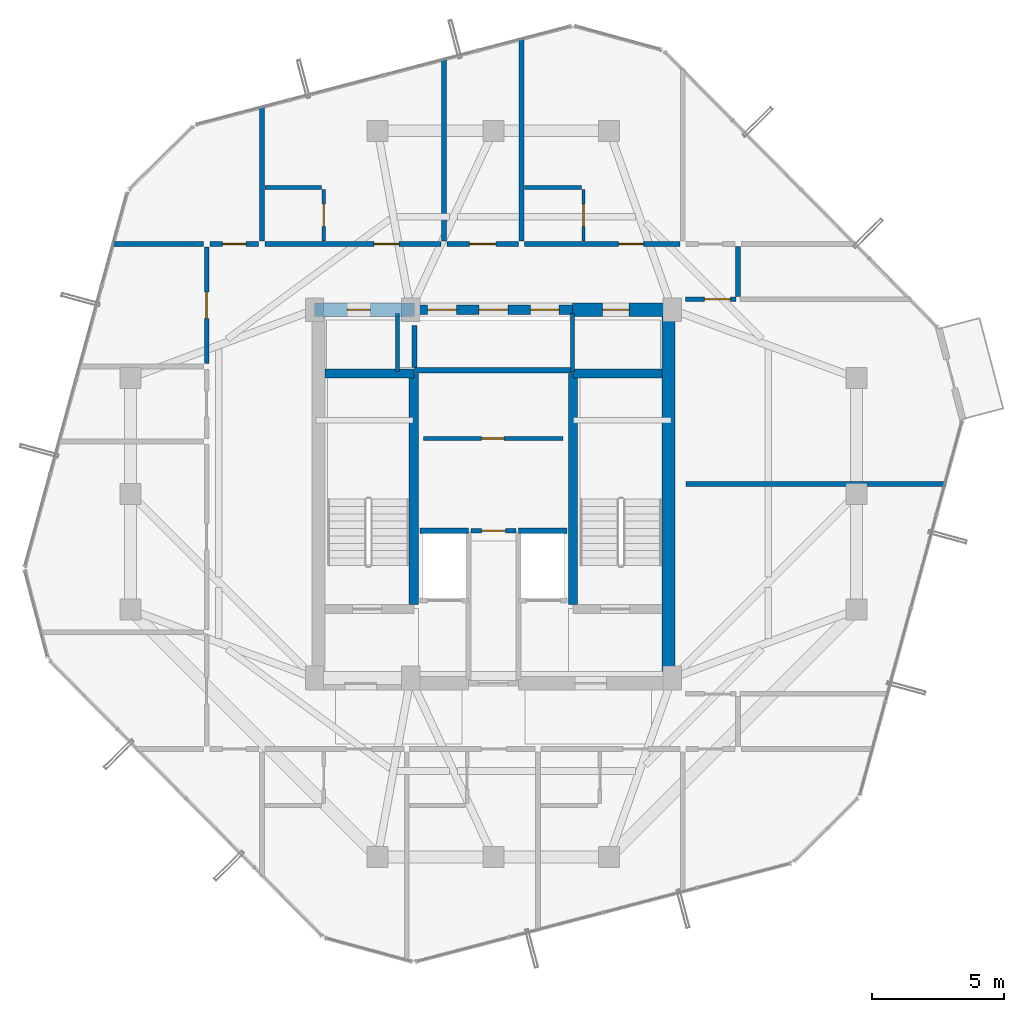
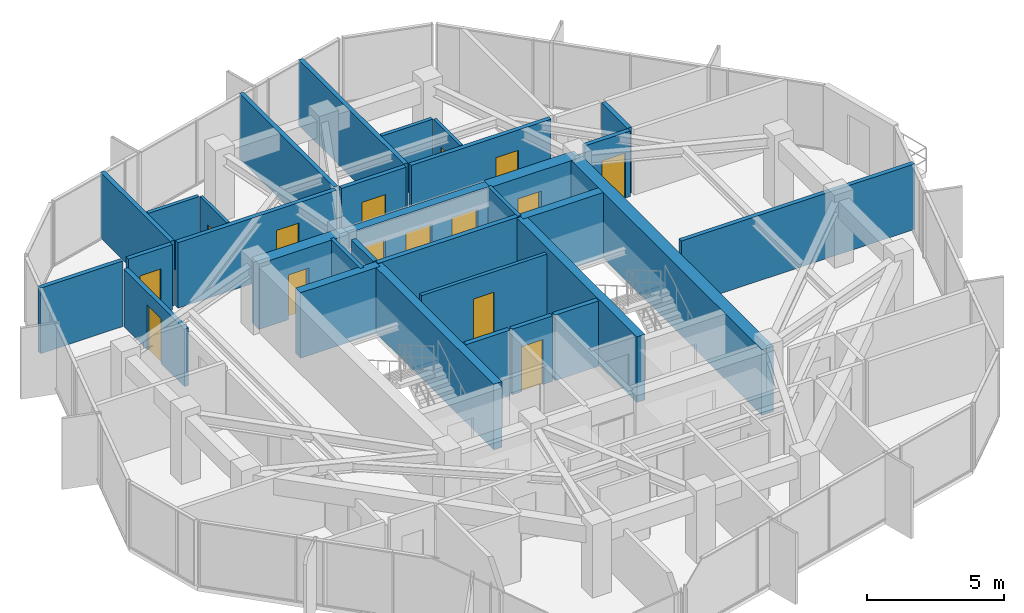
# One storey, part 26 of 29: 32 walls, 15 doors, 15 openings.
"""IFC4 building model written with IfcOpenShell, lengths in metres."""

import ifcopenshell
import ifcopenshell.guid

model = None  # the IFC model being written
_history = None  # IfcOwnerHistory: only IFC2X3 demands one
_inside = {}  # id of a spatial element -> (the spatial element, [elements in it])
_under = {}  # id of a project, library or spatial element -> (it, [spatial elements below it])
_declared = {}  # id of a project -> (the project, [libraries it declares])
_typed = {}  # id of a type object -> (the type object, [elements of that type])
_made_of = {}  # id of a material, layer set ... -> (it, [elements and type objects made of it])


def new_model(schema):
    """Start an empty IFC model of exactly this schema.

    Asked for "IFC4X3", IfcOpenShell would pick the latest addendum, in which some entities
    have other attributes; the version numbers below select the first issue.
    IFC2X3 requires an IfcOwnerHistory on every rooted entity: one is made here for all.
    """
    global model, _history
    if schema == "IFC4X3":
        model = ifcopenshell.file(schema_version=(4, 3, 0, 0))
    else:
        model = ifcopenshell.file(schema=schema)
    _inside.clear()
    _under.clear()
    _declared.clear()
    _typed.clear()
    _made_of.clear()
    _history = None
    if model.schema == "IFC2X3":
        org = make("IfcOrganization", Name="unknown")
        user = make(
            "IfcPersonAndOrganization",
            ThePerson=make("IfcPerson", FamilyName="unknown"),
            TheOrganization=org,
        )
        app = make(
            "IfcApplication",
            ApplicationDeveloper=org,
            Version="unknown",
            ApplicationFullName="unknown",
            ApplicationIdentifier="unknown",
        )
        _history = make(
            "IfcOwnerHistory",
            OwningUser=user,
            OwningApplication=app,
            ChangeAction="ADDED",
            CreationDate=0,
        )
    return model


def make(cls, **values):
    """One entity of the class cls with the attributes given. An attribute that is None is left unset."""
    return model.create_entity(
        cls, **{name: value for name, value in values.items() if value is not None}
    )


def rooted(cls, **values):
    """An entity with a GlobalId (a new one), such as an element, a storey or a relation."""
    return make(cls, GlobalId=ifcopenshell.guid.new(), OwnerHistory=_history, **values)


def si_unit(unit_type, name, prefix=None):
    """IfcSIUnit, for example si_unit("LENGTHUNIT", "METRE", prefix="MILLI")."""
    return make("IfcSIUnit", UnitType=unit_type, Prefix=prefix, Name=name)


def assignment(units):
    """IfcUnitAssignment: the units of a project."""
    return None if units is None else make("IfcUnitAssignment", Units=units)


def point(xyz):
    """IfcCartesianPoint."""
    return None if xyz is None else make("IfcCartesianPoint", Coordinates=xyz)


def direction(xyz):
    """IfcDirection."""
    return None if xyz is None else make("IfcDirection", DirectionRatios=xyz)


def frame(location, z_axis=None, x_axis=None):
    """IfcAxis2Placement3D, a coordinate frame: its origin and axes. An axis left out is left unset."""
    return make(
        "IfcAxis2Placement3D",
        Location=point(location),
        Axis=direction(z_axis),
        RefDirection=direction(x_axis),
    )


def frame_2d(location, x_axis=None):
    """IfcAxis2Placement2D, a coordinate frame in the plane: its origin and x axis."""
    return make(
        "IfcAxis2Placement2D", Location=point(location), RefDirection=direction(x_axis)
    )


def origin():
    """The frame at (0, 0, 0) with its axes left unset."""
    return frame((0.0, 0.0, 0.0))


def place(relative_to, where):
    """IfcLocalPlacement: puts the frame where relative to a parent placement (None: the world)."""
    return make(
        "IfcLocalPlacement", PlacementRelTo=relative_to, RelativePlacement=where
    )


def context(
    kind, dimensions, precision=None, world=None, true_north=None, identifier=None
):
    """IfcGeometricRepresentationContext, for example the 3D "Model" context."""
    return make(
        "IfcGeometricRepresentationContext",
        ContextIdentifier=identifier,
        ContextType=kind,
        CoordinateSpaceDimension=dimensions,
        Precision=precision,
        WorldCoordinateSystem=world,
        TrueNorth=true_north,
    )


def subcontext(parent, identifier, kind, view, scale=None):
    """IfcGeometricRepresentationSubContext, for example "Body" below "Model"."""
    return make(
        "IfcGeometricRepresentationSubContext",
        ContextIdentifier=identifier,
        ContextType=kind,
        ParentContext=parent,
        TargetScale=scale,
        TargetView=view,
    )


def project(units=None, contexts=None):
    """IfcProject with its units and contexts."""
    return rooted(
        "IfcProject",
        Name="project",
        RepresentationContexts=contexts,
        UnitsInContext=assignment(units),
    )


def spatial(cls, under=None, at=None, **own):
    """A site, building, storey or space (cls), placed at a placement, below another one or the project."""
    s = rooted(cls, ObjectPlacement=at, **own)
    if under is not None:
        _under.setdefault(under.id(), (under, []))[1].append(s)
    return s


def profile(cls, at=None, kind="AREA", **sizes):
    """A parametric profile (cls). Its sizes go by their IFC names, for example OverallWidth=200.0."""
    return make(cls, ProfileType=kind, Position=at, **sizes)


def rectangle(**sizes):
    """IfcRectangleProfileDef."""
    return profile("IfcRectangleProfileDef", **sizes)


def extrude(swept, where, along, depth):
    """IfcExtrudedAreaSolid: the profile swept, set in the frame where, extruded along a direction by depth."""
    return make(
        "IfcExtrudedAreaSolid",
        SweptArea=swept,
        Position=where,
        ExtrudedDirection=direction(along),
        Depth=depth,
    )


def shape(context_of_items, identifier, shape_type, items):
    """IfcShapeRepresentation: the items that make up one representation, for example the "Body"."""
    return make(
        "IfcShapeRepresentation",
        ContextOfItems=context_of_items,
        RepresentationIdentifier=identifier,
        RepresentationType=shape_type,
        Items=items,
    )


def source(mapping_origin, context_of_items, identifier, shape_type, items):
    """IfcRepresentationMap: a shape defined once, which mapped items show again and again."""
    return make(
        "IfcRepresentationMap",
        MappingOrigin=mapping_origin,
        MappedRepresentation=shape(context_of_items, identifier, shape_type, items),
    )


def transform(
    local_origin,
    x_axis=None,
    y_axis=None,
    z_axis=None,
    scale=None,
    scale2=None,
    scale3=None,
    uniform=True,
):
    """IfcCartesianTransformationOperator3D, or its non-uniform kind. x_axis, y_axis, z_axis: its Axis1, 2, 3."""
    if uniform:
        return make(
            "IfcCartesianTransformationOperator3D",
            Axis1=direction(x_axis),
            Axis2=direction(y_axis),
            LocalOrigin=point(local_origin),
            Scale=scale,
            Axis3=direction(z_axis),
        )
    return make(
        "IfcCartesianTransformationOperator3DnonUniform",
        Axis1=direction(x_axis),
        Axis2=direction(y_axis),
        LocalOrigin=point(local_origin),
        Scale=scale,
        Axis3=direction(z_axis),
        Scale2=scale2,
        Scale3=scale3,
    )


def mapped(mapping_source, mapping_target):
    """IfcMappedItem: shows the shape of a source again, moved by a transform."""
    return make(
        "IfcMappedItem", MappingSource=mapping_source, MappingTarget=mapping_target
    )


def material(Name=None, Category=None):
    """IfcMaterial."""
    return make("IfcMaterial", Name=Name, Category=Category)


def layer(
    of_material, thickness, ventilated=None, Name=None, Category=None, Priority=None
):
    """IfcMaterialLayer: one layer of a wall or slab, of a material (None: an air gap)."""
    return make(
        "IfcMaterialLayer",
        Material=of_material,
        LayerThickness=thickness,
        IsVentilated=ventilated,
        Name=Name,
        Category=Category,
        Priority=Priority,
    )


def layer_set(layers, Name=None):
    """IfcMaterialLayerSet."""
    return make("IfcMaterialLayerSet", MaterialLayers=layers, LayerSetName=Name)


def made_of(thing, what):
    """Note that an element or type object is made of a material, layer set ...; save() writes the relation."""
    if what is not None:
        _made_of.setdefault(what.id(), (what, []))[1].append(thing)
    return thing


def type_object(cls, material=None, **own):
    """A type object (cls), such as IfcWallType, which elements share."""
    return made_of(rooted(cls, **own), material)


def element(
    cls,
    number,
    at=None,
    inside=None,
    cuts=None,
    type_object=None,
    material=None,
    context=None,
    identifier="Body",
    shape_type=None,
    held_by="IfcProductDefinitionShape",
    body=None,
    shapes=None,
    **own,
):
    """One element of the class cls, such as IfcWall. Its Tag is "e" and its number.

    at: its placement. inside: the storey or other place that contains it. cuts: it is an
    opening in that element (IfcRelVoidsElement). A single representation is given by context,
    identifier, shape_type and body (its items); several are given by shapes. held_by: the class
    of the entity that holds the representations. save() writes the other relations.
    """
    e = rooted(cls, Tag="e%d" % number, ObjectPlacement=at, **own)
    if body is not None:
        shapes = [shape(context, identifier, shape_type, body)]
    if shapes is not None:
        e.Representation = make(held_by, Representations=shapes)
    if inside is not None:
        _inside.setdefault(inside.id(), (inside, []))[1].append(e)
    if cuts is not None:
        rooted(
            "IfcRelVoidsElement", RelatingBuildingElement=cuts, RelatedOpeningElement=e
        )
    if type_object is not None:
        _typed.setdefault(type_object.id(), (type_object, []))[1].append(e)
    return made_of(e, material)


def fill(opening, filler):
    """IfcRelFillsElement: the door or window that sits in an opening."""
    return rooted(
        "IfcRelFillsElement",
        RelatingOpeningElement=opening,
        RelatedBuildingElement=filler,
    )


def aggregate(whole, parts):
    """IfcRelAggregates: a whole, such as a stair, and the parts it consists of."""
    return rooted("IfcRelAggregates", RelatingObject=whole, RelatedObjects=parts)


def save(model, path):
    """Write the relations noted so far, then the file.

    IfcRelAggregates (storeys below a building ...), IfcRelContainedInSpatialStructure (elements
    in a storey), IfcRelDefinesByType, IfcRelAssociatesMaterial and IfcRelDeclares: one each for
    every whole, place, type object, material and project.
    """
    for whole, parts in _under.values():
        aggregate(whole, parts)
    for where, things in _inside.values():
        rooted(
            "IfcRelContainedInSpatialStructure",
            RelatedElements=things,
            RelatingStructure=where,
        )
    for kind, things in _typed.values():
        rooted("IfcRelDefinesByType", RelatedObjects=things, RelatingType=kind)
    for what, things in _made_of.values():
        rooted("IfcRelAssociatesMaterial", RelatedObjects=things, RelatingMaterial=what)
    for by, libraries in _declared.values():
        rooted("IfcRelDeclares", RelatingContext=by, RelatedDefinitions=libraries)
    model.write(path)


model = new_model("IFC4")

# Units and contexts
model_context = context("Model", 3, precision=1e-05, world=origin(), true_north=direction((0.0, 1.0)))
body_context = subcontext(model_context, "Body", "Model", "MODEL_VIEW")
ifc_project = project(units=[si_unit("LENGTHUNIT", "METRE"), si_unit("AREAUNIT", "SQUARE_METRE"), si_unit("VOLUMEUNIT", "CUBIC_METRE"), si_unit("PLANEANGLEUNIT", "RADIAN"), si_unit("MASSUNIT", "GRAM", prefix="KILO")], contexts=[model_context])

# Site, building, storey
site_placement = place(None, origin())
site = spatial("IfcSite", under=ifc_project, at=site_placement, CompositionType="ELEMENT")
building_placement = place(site_placement, origin())
building = spatial("IfcBuilding", under=site, at=building_placement, Name="Veraguas Prism Commons", CompositionType="ELEMENT")
storey_placement = place(building_placement, frame((0.0, 0.0, 261.0)))
storey = spatial("IfcBuildingStorey", under=building, at=storey_placement, Name="L74", CompositionType="ELEMENT", Elevation=261.0)

# Wall, openings, doors
ifc_material_1 = material(Name="Concrete C50/60", Category="concrete")
ifc_layer_1 = layer(ifc_material_1, 0.35009765625, Name="Core Internal Shear Wall Upper RC 350", Category="concrete")
ifc_layer_set_1 = layer_set([ifc_layer_1], Name="Concrete C50/60")
wall_type_1 = type_object("IfcWallType", Name="Core Internal Shear Wall Upper RC 350", PredefinedType="SHEAR", material=ifc_layer_set_1)
wall_1_placement = place(storey_placement, frame((21.0, 31.0, 0.0), z_axis=(0.0, 0.0, 1.0), x_axis=(1.0, 0.0, 0.0)))
wall_1 = element("IfcWall", 1, at=wall_1_placement, inside=storey, type_object=wall_type_1, Name="High-Rise Lift Bank Front Shear Wall L74", PredefinedType="SHEAR", context=body_context, shape_type="SweptSolid", body=[
    extrude(rectangle(XDim=6.0, YDim=0.35009765625, at=frame_2d((3.0, 0.0))), origin(), (0.0, 0.0, 1.0), 2.929931640625),
])
opening_1_placement = place(wall_1_placement, frame((0.5, 0.0, 0.0)))
opening_1 = element("IfcOpeningElement", 2, at=opening_1_placement, cuts=wall_1, Name="Opening LD-01", PredefinedType="OPENING", context=body_context, shape_type="SweptSolid", body=[
    extrude(rectangle(XDim=1.10009765625, YDim=2.080078125, at=frame_2d((0.550048828125, 1.0400390625))), frame((0.0, 0.18505859375, 0.0), z_axis=(0.0, -1.0, 0.0), x_axis=(1.0, 0.0, 0.0)), (0.0, 0.0, 1.0), 0.3701171875),
])
opening_2_placement = place(wall_1_placement, frame((2.449951171875, 0.0, 0.0)))
opening_2 = element("IfcOpeningElement", 3, at=opening_2_placement, cuts=wall_1, Name="Opening LD-01", PredefinedType="OPENING", context=body_context, shape_type="SweptSolid", body=[
    extrude(rectangle(XDim=1.10009765625, YDim=2.080078125, at=frame_2d((0.550048828125, 1.0400390625))), frame((0.0, 0.18505859375, 0.0), z_axis=(0.0, -1.0, 0.0), x_axis=(1.0, 0.0, 0.0)), (0.0, 0.0, 1.0), 0.3701171875),
])
opening_3_placement = place(wall_1_placement, frame((4.39990234375, 0.0, 0.0)))
opening_3 = element("IfcOpeningElement", 4, at=opening_3_placement, cuts=wall_1, Name="Opening LD-01", PredefinedType="OPENING", context=body_context, shape_type="SweptSolid", body=[
    extrude(rectangle(XDim=1.10009765625, YDim=2.080078125, at=frame_2d((0.550048828125, 1.0400390625))), frame((0.0, 0.18505859375, 0.0), z_axis=(0.0, -1.0, 0.0), x_axis=(1.0, 0.0, 0.0)), (0.0, 0.0, 1.0), 0.3701171875),
])
ifc_material_2 = material(Name="Stainless steel AISI 316", Category="steel")
door_type_1 = type_object("IfcDoorType", Name="Passenger Lift Sliding Landing Door 1100x2080", OperationType="NOTDEFINED", PredefinedType="DOOR", material=ifc_material_2)
shared_shape_1 = source(origin(), body_context, "Body", "SweptSolid", [
    extrude(rectangle(XDim=1.10009765625, YDim=2.080078125, at=frame_2d((0.550048828125, 1.0400390625))), frame((0.0, 0.02490234375, 0.0), z_axis=(0.0, -1.0, 0.0), x_axis=(1.0, 0.0, 0.0)), (0.0, 0.0, 1.0), 0.050048828125),
])
door_1_placement = place(opening_1_placement, origin())
door_1 = element("IfcDoor", 5, at=door_1_placement, inside=storey, type_object=door_type_1, Name="Sliding Landing Door PL-H1 L74", OperationType="SLIDING_TO_LEFT", OverallHeight=2.080078125, OverallWidth=1.10009765625, PredefinedType="DOOR", context=body_context, shape_type="MappedRepresentation", body=[
    mapped(shared_shape_1, transform((0.0, 0.0, 0.0), scale=1.0)),
])
fill(opening_1, door_1)
door_2_placement = place(opening_2_placement, origin())
door_2 = element("IfcDoor", 6, at=door_2_placement, inside=storey, type_object=door_type_1, Name="Sliding Landing Door PL-H2 L74", OperationType="SLIDING_TO_LEFT", OverallHeight=2.080078125, OverallWidth=1.10009765625, PredefinedType="DOOR", context=body_context, shape_type="MappedRepresentation", body=[
    mapped(shared_shape_1, transform((0.0, 0.0, 0.0), scale=1.0)),
])
fill(opening_2, door_2)
door_3_placement = place(opening_3_placement, origin())
door_3 = element("IfcDoor", 7, at=door_3_placement, inside=storey, type_object=door_type_1, Name="Sliding Landing Door PL-H3 L74", OperationType="SLIDING_TO_LEFT", OverallHeight=2.080078125, OverallWidth=1.10009765625, PredefinedType="DOOR", context=body_context, shape_type="MappedRepresentation", body=[
    mapped(shared_shape_1, transform((0.0, 0.0, 0.0), scale=1.0)),
])
fill(opening_3, door_3)

# Walls
for number, where, z_axis, x_axis, name in (
    (8, (20.97509765625, 19.800048828125, 0.0), (0.0, 0.0, 1.0), (0.0, 1.0, 0.0), "Stair ST-01 Inner Shear Wall L74"),
    (9, (27.02490234375, 19.800048828125, 0.0), (0.0, 0.0, 1.0), (0.0, 1.0, 0.0), "Stair ST-02 Inner Shear Wall L74"),
):
    element("IfcWall", number, at=place(storey_placement, frame(where, z_axis=z_axis, x_axis=x_axis)), inside=storey, type_object=wall_type_1, Name=name, PredefinedType="SHEAR", context=body_context, shape_type="SweptSolid", body=[
        extrude(rectangle(XDim=8.77490234375, YDim=0.35009765625, at=frame_2d((4.387451171875, 0.0))), origin(), (0.0, 0.0, 1.0), 2.929931640625),
    ])
for number, where, z_axis, x_axis, name in (
    (10, (17.60009765625, 28.574951171875, 0.0), (0.0, 0.0, 1.0), (1.0, 0.0, 0.0), "Stair ST-01 North Shear Wall L74"),
    (11, (27.02490234375, 28.574951171875, 0.0), (0.0, 0.0, 1.0), (1.0, 0.0, 0.0), "Stair ST-02 North Shear Wall L74"),
):
    element("IfcWall", number, at=place(storey_placement, frame(where, z_axis=z_axis, x_axis=x_axis)), inside=storey, type_object=wall_type_1, Name=name, PredefinedType="SHEAR", context=body_context, shape_type="SweptSolid", body=[
        extrude(rectangle(XDim=3.375, YDim=0.35009765625, at=frame_2d((1.6875, 0.0))), origin(), (0.0, 0.0, 1.0), 2.929931640625),
    ])
ifc_layer_2 = layer(ifc_material_1, 0.5, Name="Core Outer Shear Wall Upper RC 500", Category="concrete")
ifc_layer_set_2 = layer_set([ifc_layer_2], Name="Concrete C50/60")
wall_type_2 = type_object("IfcWallType", Name="Core Outer Shear Wall Upper RC 500", PredefinedType="SHEAR", material=ifc_layer_set_2)
wall_2_placement = place(storey_placement, frame((30.64990234375, 16.800048828125, 0.0), z_axis=(0.0, 0.0, 1.0), x_axis=(0.0, 1.0, 0.0)))
element("IfcWall", 12, at=wall_2_placement, inside=storey, type_object=wall_type_2, Name="Central Core East Shear Wall L74", PredefinedType="SHEAR", context=body_context, shape_type="SweptSolid", body=[
    extrude(rectangle(XDim=14.199951171875, YDim=0.5, at=frame_2d((7.10009765625, 0.0))), origin(), (0.0, 0.0, 1.0), 2.929931640625),
])

# Wall, opening, door
wall_3_placement = place(storey_placement, frame((17.199951171875, 31.0, 0.0), z_axis=(0.0, 0.0, 1.0), x_axis=(1.0, 0.0, 0.0)))
wall_3 = element("IfcWall", 13, at=wall_3_placement, inside=storey, type_object=wall_type_2, Name="Central Core North-West Shear Wall L74", PredefinedType="SHEAR", context=body_context, shape_type="SweptSolid", body=[
    extrude(rectangle(XDim=3.800048828125, YDim=0.5, at=frame_2d((1.89990234375, 0.0))), origin(), (0.0, 0.0, 1.0), 2.929931640625),
])
opening_4_placement = place(wall_3_placement, frame((1.25, 0.0, 0.0)))
opening_4 = element("IfcOpeningElement", 14, at=opening_4_placement, cuts=wall_3, Name="Opening DR-12", PredefinedType="OPENING", context=body_context, shape_type="SweptSolid", body=[
    extrude(rectangle(XDim=0.860107421875, YDim=2.010009765625, at=frame_2d((0.43017578125, 1.0048828125))), frame((0.0, 0.260009765625, 0.0), z_axis=(0.0, -1.0, 0.0), x_axis=(1.0, 0.0, 0.0)), (0.0, 0.0, 1.0), 0.52001953125),
])
ifc_material_3 = material(Name="Steel fire-rated door assembly", Category="steel")
door_type_2 = type_object("IfcDoorType", Name="Core WC Fire Door 860x2010", OperationType="NOTDEFINED", PredefinedType="DOOR", material=ifc_material_3)
shared_shape_2 = source(origin(), body_context, "Body", "SweptSolid", [
    extrude(rectangle(XDim=0.860107421875, YDim=2.010009765625, at=frame_2d((0.43017578125, 1.0048828125))), frame((0.0, 0.02490234375, 0.0), z_axis=(0.0, -1.0, 0.0), x_axis=(1.0, 0.0, 0.0)), (0.0, 0.0, 1.0), 0.050048828125),
])
door_4_placement = place(opening_4_placement, origin())
door_4 = element("IfcDoor", 15, at=door_4_placement, inside=storey, type_object=door_type_2, Name="Core NW Service Door L74", OperationType="SINGLE_SWING_RIGHT", OverallHeight=2.010009765625, OverallWidth=0.860107421875, PredefinedType="DOOR", context=body_context, shape_type="MappedRepresentation", body=[
    mapped(shared_shape_2, transform((0.0, 0.0, 0.0), scale=1.0)),
])
fill(opening_4, door_4)

wall_4_placement = place(storey_placement, frame((27.0, 31.0, 0.0), z_axis=(0.0, 0.0, 1.0), x_axis=(1.0, 0.0, 0.0)))
wall_4 = element("IfcWall", 16, at=wall_4_placement, inside=storey, type_object=wall_type_2, Name="Central Core North-East Shear Wall L74", PredefinedType="SHEAR", context=body_context, shape_type="SweptSolid", body=[
    extrude(rectangle(XDim=3.800048828125, YDim=0.5, at=frame_2d((1.89990234375, 0.0))), origin(), (0.0, 0.0, 1.0), 2.929931640625),
])
opening_5_placement = place(wall_4_placement, frame((1.14990234375, 0.0, 0.0)))
opening_5 = element("IfcOpeningElement", 17, at=opening_5_placement, cuts=wall_4, Name="Opening DR-13", PredefinedType="OPENING", context=body_context, shape_type="SweptSolid", body=[
    extrude(rectangle(XDim=1.0, YDim=2.010009765625, at=frame_2d((0.5, 1.0048828125))), frame((0.0, 0.260009765625, 0.0), z_axis=(0.0, -1.0, 0.0), x_axis=(1.0, 0.0, 0.0)), (0.0, 0.0, 1.0), 0.52001953125),
])
door_type_3 = type_object("IfcDoorType", Name="Core Accessible WC and Clinic Fire Door 1000x2010", OperationType="NOTDEFINED", PredefinedType="DOOR", material=ifc_material_3)
shared_shape_3 = source(origin(), body_context, "Body", "SweptSolid", [
    extrude(rectangle(XDim=1.0, YDim=2.010009765625, at=frame_2d((0.5, 1.0048828125))), frame((0.0, 0.02490234375, 0.0), z_axis=(0.0, -1.0, 0.0), x_axis=(1.0, 0.0, 0.0)), (0.0, 0.0, 1.0), 0.050048828125),
])
door_5_placement = place(opening_5_placement, origin())
door_5 = element("IfcDoor", 18, at=door_5_placement, inside=storey, type_object=door_type_3, Name="Core NE Pantry Door L74", OperationType="SINGLE_SWING_LEFT", OverallHeight=2.010009765625, OverallWidth=1.0, PredefinedType="DOOR", context=body_context, shape_type="MappedRepresentation", body=[
    mapped(shared_shape_3, transform((0.0, 0.0, 0.0), scale=1.0)),
])
fill(opening_5, door_5)

ifc_material_4 = material(Name="Autoclaved aerated masonry block 10 MPa", Category="masonry")
ifc_layer_3 = layer(ifc_material_4, 0.179931640625, Name="Corridor and Inter-Tenancy Partition 180", Category="masonry")
ifc_layer_set_3 = layer_set([ifc_layer_3], Name="Autoclaved aerated masonry block 10 MPa")
wall_type_3 = type_object("IfcWallType", Name="Corridor and Inter-Tenancy Partition 180", PredefinedType="PARTITIONING", material=ifc_layer_set_3)
wall_5_placement = place(storey_placement, frame((23.14990234375, 22.60009765625, 0.0), z_axis=(0.0, 0.0, 1.0), x_axis=(1.0, 0.0, 0.0)))
wall_5 = element("IfcWall", 19, at=wall_5_placement, inside=storey, type_object=wall_type_3, Name="Core Suite Entry Wall L74", PredefinedType="PARTITIONING", context=body_context, shape_type="SweptSolid", body=[
    extrude(rectangle(XDim=1.7001953125, YDim=0.179931640625, at=frame_2d((0.85009765625, 0.0))), origin(), (0.0, 0.0, 1.0), 2.929931640625),
])
opening_6_placement = place(wall_5_placement, frame((0.39990234375, 0.0, 0.0)))
opening_6 = element("IfcOpeningElement", 20, at=opening_6_placement, cuts=wall_5, Name="Opening DR-14", PredefinedType="OPENING", context=body_context, shape_type="SweptSolid", body=[
    extrude(rectangle(XDim=0.89990234375, YDim=2.010009765625, at=frame_2d((0.449951171875, 1.0048828125))), frame((0.0, 0.099853515625, 0.0), z_axis=(0.0, -1.0, 0.0), x_axis=(1.0, 0.0, 0.0)), (0.0, 0.0, 1.0), 0.199951171875),
])
door_type_4 = type_object("IfcDoorType", Name="Core Service Room Fire Door 900x2010", OperationType="NOTDEFINED", PredefinedType="DOOR", material=ifc_material_3)
shared_shape_4 = source(origin(), body_context, "Body", "SweptSolid", [
    extrude(rectangle(XDim=0.89990234375, YDim=2.010009765625, at=frame_2d((0.449951171875, 1.0048828125))), frame((0.0, 0.02490234375, 0.0), z_axis=(0.0, -1.0, 0.0), x_axis=(1.0, 0.0, 0.0)), (0.0, 0.0, 1.0), 0.050048828125),
])
door_6_placement = place(opening_6_placement, origin())
door_6 = element("IfcDoor", 21, at=door_6_placement, inside=storey, type_object=door_type_4, Name="Core Suite Entry Door L74", OperationType="SINGLE_SWING_RIGHT", OverallHeight=2.010009765625, OverallWidth=0.89990234375, PredefinedType="DOOR", context=body_context, shape_type="MappedRepresentation", body=[
    mapped(shared_shape_4, transform((0.0, 0.0, 0.0), scale=1.0)),
])
fill(opening_6, door_6)

# Wall
wall_6_placement = place(storey_placement, frame((15.199951171875, 33.6201171875, 0.0), z_axis=(0.0, 0.0, 1.0), x_axis=(0.0, 1.0, 0.0)))
element("IfcWall", 22, at=wall_6_placement, inside=storey, type_object=wall_type_3, Name="WL-L74-PT014", PredefinedType="PARTITIONING", context=body_context, shape_type="SweptSolid", body=[
    extrude(rectangle(XDim=5.113525390625, YDim=0.179931640625, at=frame_2d((2.556640625, 0.0))), origin(), (0.0, 0.0, 1.0), 2.929931640625),
])

# Wall, opening, door
wall_7_placement = place(storey_placement, frame((22.22998046875, 33.5, 0.0), z_axis=(0.0, 0.0, 1.0), x_axis=(1.0, 0.0, 0.0)))
wall_7 = element("IfcWall", 23, at=wall_7_placement, inside=storey, type_object=wall_type_3, Name="WL-L74-PT016", PredefinedType="PARTITIONING", context=body_context, shape_type="SweptSolid", body=[
    extrude(rectangle(XDim=2.72998046875, YDim=0.179931640625, at=frame_2d((1.364990234375, 0.0))), origin(), (0.0, 0.0, 1.0), 2.929931640625),
])
opening_7_placement = place(wall_7_placement, frame((0.864990234375, 0.0, 0.0)))
opening_7 = element("IfcOpeningElement", 24, at=opening_7_placement, cuts=wall_7, Name="Opening DR-13", PredefinedType="OPENING", context=body_context, shape_type="SweptSolid", body=[
    extrude(rectangle(XDim=1.0, YDim=2.010009765625, at=frame_2d((0.5, 1.0048828125))), frame((0.0, 0.099853515625, 0.0), z_axis=(0.0, -1.0, 0.0), x_axis=(1.0, 0.0, 0.0)), (0.0, 0.0, 1.0), 0.199951171875),
])
door_7_placement = place(opening_7_placement, origin())
door_7 = element("IfcDoor", 25, at=door_7_placement, inside=storey, type_object=door_type_3, Name="Quiet Study N Door", OperationType="SINGLE_SWING_RIGHT", OverallHeight=2.010009765625, OverallWidth=1.0, PredefinedType="DOOR", context=body_context, shape_type="MappedRepresentation", body=[
    mapped(shared_shape_3, transform((0.0, 0.0, 0.0), scale=1.0)),
])
fill(opening_7, door_7)

# Wall
wall_8_placement = place(storey_placement, frame((22.1201171875, 33.6201171875, 0.0), z_axis=(0.0, 0.0, 1.0), x_axis=(0.0, 1.0, 0.0)))
element("IfcWall", 26, at=wall_8_placement, inside=storey, type_object=wall_type_3, Name="WL-L74-PT017", PredefinedType="PARTITIONING", context=body_context, shape_type="SweptSolid", body=[
    extrude(rectangle(XDim=6.928955078125, YDim=0.179931640625, at=frame_2d((3.46435546875, 0.0))), origin(), (0.0, 0.0, 1.0), 2.929931640625),
])

# Wall, opening, door
wall_9_placement = place(storey_placement, frame((15.31005859375, 33.5, 0.0), z_axis=(0.0, 0.0, 1.0), x_axis=(1.0, 0.0, 0.0)))
wall_9 = element("IfcWall", 27, at=wall_9_placement, inside=storey, type_object=wall_type_3, Name="WL-L74-PT018", PredefinedType="PARTITIONING", context=body_context, shape_type="SweptSolid", body=[
    extrude(rectangle(XDim=6.699951171875, YDim=0.179931640625, at=frame_2d((3.35009765625, 0.0))), origin(), (0.0, 0.0, 1.0), 2.929931640625),
])
opening_8_placement = place(wall_9_placement, frame((4.158935546875, 0.0, 0.0)))
opening_8 = element("IfcOpeningElement", 28, at=opening_8_placement, cuts=wall_9, Name="Opening DR-01", PredefinedType="OPENING", context=body_context, shape_type="SweptSolid", body=[
    extrude(rectangle(XDim=0.949951171875, YDim=2.02001953125, at=frame_2d((0.47509765625, 1.010009765625))), frame((0.0, 0.099853515625, 0.0), z_axis=(0.0, -1.0, 0.0), x_axis=(1.0, 0.0, 0.0)), (0.0, 0.0, 1.0), 0.199951171875),
])
ifc_material_5 = material(Name="Anodised aluminium EN AW-6063 T6", Category="aluminium")
door_type_5 = type_object("IfcDoorType", Name="Apartment Entrance Fire Door 950x2020", OperationType="NOTDEFINED", PredefinedType="DOOR", material=ifc_material_5)
shared_shape_5 = source(origin(), body_context, "Body", "SweptSolid", [
    extrude(rectangle(XDim=0.949951171875, YDim=2.02001953125, at=frame_2d((0.47509765625, 1.010009765625))), frame((0.0, 0.02490234375, 0.0), z_axis=(0.0, -1.0, 0.0), x_axis=(1.0, 0.0, 0.0)), (0.0, 0.0, 1.0), 0.050048828125),
])
door_8_placement = place(opening_8_placement, origin())
door_8 = element("IfcDoor", 29, at=door_8_placement, inside=storey, type_object=door_type_5, Name="Studio 74D Entrance Door", OperationType="SINGLE_SWING_LEFT", OverallHeight=2.02001953125, OverallWidth=0.949951171875, PredefinedType="DOOR", context=body_context, shape_type="MappedRepresentation", body=[
    mapped(shared_shape_5, transform((0.0, 0.0, 0.0), scale=1.0)),
])
fill(opening_8, door_8)

# Wall
wall_10_placement = place(storey_placement, frame((25.070068359375, 33.6201171875, 0.0), z_axis=(0.0, 0.0, 1.0), x_axis=(0.0, 1.0, 0.0)))
element("IfcWall", 30, at=wall_10_placement, inside=storey, type_object=wall_type_3, Name="WL-L74-PT021", PredefinedType="PARTITIONING", context=body_context, shape_type="SweptSolid", body=[
    extrude(rectangle(XDim=7.702880859375, YDim=0.179931640625, at=frame_2d((3.8515625, 0.0))), origin(), (0.0, 0.0, 1.0), 2.929931640625),
])

# Wall, opening, door
wall_11_placement = place(storey_placement, frame((25.179931640625, 33.5, 0.0), z_axis=(0.0, 0.0, 1.0), x_axis=(1.0, 0.0, 0.0)))
wall_11 = element("IfcWall", 31, at=wall_11_placement, inside=storey, type_object=wall_type_3, Name="WL-L74-PT022", PredefinedType="PARTITIONING", context=body_context, shape_type="SweptSolid", body=[
    extrude(rectangle(XDim=5.91015625, YDim=0.179931640625, at=frame_2d((2.955078125, 0.0))), origin(), (0.0, 0.0, 1.0), 2.929931640625),
])
opening_9_placement = place(wall_11_placement, frame((3.574462890625, 0.0, 0.0)))
opening_9 = element("IfcOpeningElement", 32, at=opening_9_placement, cuts=wall_11, Name="Opening DR-01", PredefinedType="OPENING", context=body_context, shape_type="SweptSolid", body=[
    extrude(rectangle(XDim=0.949951171875, YDim=2.02001953125, at=frame_2d((0.47509765625, 1.010009765625))), frame((0.0, 0.099853515625, 0.0), z_axis=(0.0, -1.0, 0.0), x_axis=(1.0, 0.0, 0.0)), (0.0, 0.0, 1.0), 0.199951171875),
])
door_9_placement = place(opening_9_placement, origin())
door_9 = element("IfcDoor", 33, at=door_9_placement, inside=storey, type_object=door_type_5, Name="Studio 74E Entrance Door", OperationType="SINGLE_SWING_LEFT", OverallHeight=2.02001953125, OverallWidth=0.949951171875, PredefinedType="DOOR", context=body_context, shape_type="MappedRepresentation", body=[
    mapped(shared_shape_5, transform((0.0, 0.0, 0.0), scale=1.0)),
])
fill(opening_9, door_9)

# Wall
wall_12_placement = place(storey_placement, frame((12.97998046875, 33.5, 0.0), z_axis=(0.0, 0.0, 1.0), x_axis=(-1.0, 0.0, 0.0)))
element("IfcWall", 34, at=wall_12_placement, inside=storey, type_object=wall_type_3, Name="WL-L74-PT026", PredefinedType="PARTITIONING", context=body_context, shape_type="SweptSolid", body=[
    extrude(rectangle(XDim=3.47119140625, YDim=0.179931640625, at=frame_2d((1.735595703125, 0.0))), origin(), (0.0, 0.0, 1.0), 2.929931640625),
])

# Wall, opening, door
wall_13_placement = place(storey_placement, frame((13.10009765625, 28.9560546875, 0.0), z_axis=(0.0, 0.0, 1.0), x_axis=(0.0, 1.0, 0.0)))
wall_13 = element("IfcWall", 35, at=wall_13_placement, inside=storey, type_object=wall_type_3, Name="WL-L74-PT032", PredefinedType="PARTITIONING", context=body_context, shape_type="SweptSolid", body=[
    extrude(rectangle(XDim=4.433837890625, YDim=0.179931640625, at=frame_2d((2.216796875, 0.0))), origin(), (0.0, 0.0, 1.0), 2.576904296875),
])
opening_10_placement = place(wall_13_placement, frame((1.717041015625, 0.0, 0.0)))
opening_10 = element("IfcOpeningElement", 36, at=opening_10_placement, cuts=wall_13, Name="Opening DR-13", PredefinedType="OPENING", context=body_context, shape_type="SweptSolid", body=[
    extrude(rectangle(XDim=1.0, YDim=2.010009765625, at=frame_2d((0.5, 1.0048828125))), frame((0.0, 0.099853515625, 0.0), z_axis=(0.0, -1.0, 0.0), x_axis=(1.0, 0.0, 0.0)), (0.0, 0.0, 1.0), 0.199951171875),
])
door_10_placement = place(opening_10_placement, origin())
door_10 = element("IfcDoor", 37, at=door_10_placement, inside=storey, type_object=door_type_3, Name="Co-op Store W Door", OperationType="SINGLE_SWING_RIGHT", OverallHeight=2.010009765625, OverallWidth=1.0, PredefinedType="DOOR", context=body_context, shape_type="MappedRepresentation", body=[
    mapped(shared_shape_3, transform((0.0, 0.0, 0.0), scale=1.0)),
])
fill(opening_10, door_10)

# Walls
wall_14_placement = place(storey_placement, frame((31.320068359375, 24.375, 0.0), z_axis=(0.0, 0.0, 1.0), x_axis=(1.0, 0.0, 0.0)))
element("IfcWall", 38, at=wall_14_placement, inside=storey, type_object=wall_type_3, Name="WL-L74-PT034", PredefinedType="PARTITIONING", context=body_context, shape_type="SweptSolid", body=[
    extrude(rectangle(XDim=9.872802734375, YDim=0.179931640625, at=frame_2d((4.9365234375, 0.0))), origin(), (0.0, 0.0, 1.0), 2.929931640625),
])
wall_15_placement = place(storey_placement, frame((33.300048828125, 31.5, 0.0), z_axis=(0.0, 0.0, 1.0), x_axis=(0.0, 1.0, 0.0)))
element("IfcWall", 39, at=wall_15_placement, inside=storey, type_object=wall_type_3, Name="WL-L74-PT036", PredefinedType="PARTITIONING", context=body_context, shape_type="SweptSolid", body=[
    extrude(rectangle(XDim=1.89990234375, YDim=0.179931640625, at=frame_2d((0.949951171875, 0.0))), origin(), (0.0, 0.0, 1.0), 2.929931640625),
])

# Wall, opening, door
wall_16_placement = place(storey_placement, frame((31.300048828125, 31.39990234375, 0.0), z_axis=(0.0, 0.0, 1.0), x_axis=(1.0, 0.0, 0.0)))
wall_16 = element("IfcWall", 40, at=wall_16_placement, inside=storey, type_object=wall_type_3, Name="WL-L74-PT039", PredefinedType="PARTITIONING", context=body_context, shape_type="SweptSolid", body=[
    extrude(rectangle(XDim=1.919921875, YDim=0.179931640625, at=frame_2d((0.9599609375, 0.0))), origin(), (0.0, 0.0, 1.0), 2.929931640625),
])
opening_11_placement = place(wall_16_placement, frame((0.719970703125, 0.0, 0.0)))
opening_11 = element("IfcOpeningElement", 41, at=opening_11_placement, cuts=wall_16, Name="Opening DR-13", PredefinedType="OPENING", context=body_context, shape_type="SweptSolid", body=[
    extrude(rectangle(XDim=1.0, YDim=2.010009765625, at=frame_2d((0.5, 1.0048828125))), frame((0.0, 0.099853515625, 0.0), z_axis=(0.0, -1.0, 0.0), x_axis=(1.0, 0.0, 0.0)), (0.0, 0.0, 1.0), 0.199951171875),
])
door_11_placement = place(opening_11_placement, origin())
door_11 = element("IfcDoor", 42, at=door_11_placement, inside=storey, type_object=door_type_3, Name="Study Salon Door L74", OperationType="SINGLE_SWING_RIGHT", OverallHeight=2.010009765625, OverallWidth=1.0, PredefinedType="DOOR", context=body_context, shape_type="MappedRepresentation", body=[
    mapped(shared_shape_3, transform((0.0, 0.0, 0.0), scale=1.0)),
])
fill(opening_11, door_11)

wall_17_placement = place(storey_placement, frame((13.219970703125, 33.5, 0.0), z_axis=(0.0, 0.0, 1.0), x_axis=(1.0, 0.0, 0.0)))
wall_17 = element("IfcWall", 43, at=wall_17_placement, inside=storey, type_object=wall_type_3, Name="WL-L74-PT044", PredefinedType="PARTITIONING", context=body_context, shape_type="SweptSolid", body=[
    extrude(rectangle(XDim=1.860107421875, YDim=0.179931640625, at=frame_2d((0.93017578125, 0.0))), origin(), (0.0, 0.0, 1.0), 2.929931640625),
])
opening_12_placement = place(wall_17_placement, frame((0.47998046875, 0.0, 0.0)))
opening_12 = element("IfcOpeningElement", 44, at=opening_12_placement, cuts=wall_17, Name="Opening DR-14", PredefinedType="OPENING", context=body_context, shape_type="SweptSolid", body=[
    extrude(rectangle(XDim=0.89990234375, YDim=2.010009765625, at=frame_2d((0.449951171875, 1.0048828125))), frame((0.0, 0.099853515625, 0.0), z_axis=(0.0, -1.0, 0.0), x_axis=(1.0, 0.0, 0.0)), (0.0, 0.0, 1.0), 0.199951171875),
])
door_12_placement = place(opening_12_placement, origin())
door_12 = element("IfcDoor", 45, at=door_12_placement, inside=storey, type_object=door_type_4, Name="Residents Cycle and Pram Store NW Door", OperationType="SINGLE_SWING_LEFT", OverallHeight=2.010009765625, OverallWidth=0.89990234375, PredefinedType="DOOR", context=body_context, shape_type="MappedRepresentation", body=[
    mapped(shared_shape_4, transform((0.0, 0.0, 0.0), scale=1.0)),
])
fill(opening_12, door_12)

ifc_material_6 = material(Name="Lightweight acoustic gypsum board")
ifc_layer_4 = layer(ifc_material_6, 0.125, Name="Internal Apartment Room Partition 125")
ifc_layer_set_4 = layer_set([ifc_layer_4], Name="Lightweight acoustic gypsum board")
wall_type_4 = type_object("IfcWallType", Name="Internal Apartment Room Partition 125", PredefinedType="PARTITIONING", material=ifc_layer_set_4)
wall_18_placement = place(storey_placement, frame((17.550048828125, 33.6201171875, 0.0), z_axis=(0.0, 0.0, 1.0), x_axis=(0.0, 1.0, 0.0)))
wall_18 = element("IfcWall", 46, at=wall_18_placement, inside=storey, type_object=wall_type_4, Name="WL-L74-PT019", PredefinedType="PARTITIONING", context=body_context, shape_type="SweptSolid", body=[
    extrude(rectangle(XDim=1.949951171875, YDim=0.125, at=frame_2d((0.97509765625, 0.0))), origin(), (0.0, 0.0, 1.0), 2.929931640625),
])
opening_13_placement = place(wall_18_placement, frame((0.544921875, 0.0, 0.0)))
opening_13 = element("IfcOpeningElement", 47, at=opening_13_placement, cuts=wall_18, Name="Opening DR-03", PredefinedType="OPENING", context=body_context, shape_type="SweptSolid", body=[
    extrude(rectangle(XDim=0.860107421875, YDim=2.010009765625, at=frame_2d((0.43017578125, 1.0048828125))), frame((0.0, 0.072509765625, 0.0), z_axis=(0.0, -1.0, 0.0), x_axis=(1.0, 0.0, 0.0)), (0.0, 0.0, 1.0), 0.14501953125),
])
ifc_material_7 = material(Name="Timber moisture-resistant leaf", Category="wood")
door_type_6 = type_object("IfcDoorType", Name="Internal Bathroom Door 860x2010", OperationType="NOTDEFINED", PredefinedType="DOOR", material=ifc_material_7)
door_13_placement = place(opening_13_placement, origin())
door_13 = element("IfcDoor", 48, at=door_13_placement, inside=storey, type_object=door_type_6, Name="Studio 74D Bathroom Door", OperationType="SINGLE_SWING_RIGHT", OverallHeight=2.010009765625, OverallWidth=0.860107421875, PredefinedType="DOOR", context=body_context, shape_type="MappedRepresentation", body=[
    mapped(shared_shape_2, transform((0.0, 0.0, 0.0), scale=1.0)),
])
fill(opening_13, door_13)

wall_19_placement = place(storey_placement, frame((27.419921875, 33.6201171875, 0.0), z_axis=(0.0, 0.0, 1.0), x_axis=(0.0, 1.0, 0.0)))
wall_19 = element("IfcWall", 49, at=wall_19_placement, inside=storey, type_object=wall_type_4, Name="WL-L74-PT023", PredefinedType="PARTITIONING", context=body_context, shape_type="SweptSolid", body=[
    extrude(rectangle(XDim=1.949951171875, YDim=0.125, at=frame_2d((0.97509765625, 0.0))), origin(), (0.0, 0.0, 1.0), 2.929931640625),
])
opening_14_placement = place(wall_19_placement, frame((0.544921875, 0.0, 0.0)))
opening_14 = element("IfcOpeningElement", 50, at=opening_14_placement, cuts=wall_19, Name="Opening DR-03", PredefinedType="OPENING", context=body_context, shape_type="SweptSolid", body=[
    extrude(rectangle(XDim=0.860107421875, YDim=2.010009765625, at=frame_2d((0.43017578125, 1.0048828125))), frame((0.0, 0.072509765625, 0.0), z_axis=(0.0, -1.0, 0.0), x_axis=(1.0, 0.0, 0.0)), (0.0, 0.0, 1.0), 0.14501953125),
])
door_14_placement = place(opening_14_placement, origin())
door_14 = element("IfcDoor", 51, at=door_14_placement, inside=storey, type_object=door_type_6, Name="Studio 74E Bathroom Door", OperationType="SINGLE_SWING_RIGHT", OverallHeight=2.010009765625, OverallWidth=0.860107421875, PredefinedType="DOOR", context=body_context, shape_type="MappedRepresentation", body=[
    mapped(shared_shape_2, transform((0.0, 0.0, 0.0), scale=1.0)),
])
fill(opening_14, door_14)

# Walls
ifc_layer_5 = layer(ifc_material_4, 0.199951171875, Name="Rated Shaft and Lobby Block Wall 200", Category="masonry")
ifc_layer_set_5 = layer_set([ifc_layer_5], Name="Autoclaved aerated masonry block 10 MPa")
wall_type_5 = type_object("IfcWallType", Name="Rated Shaft and Lobby Block Wall 200", PredefinedType="SOLIDWALL", material=ifc_layer_set_5)
for number, where, z_axis, x_axis, name in (
    (52, (21.199951171875, 22.60009765625, 0.0), (0.0, 0.0, 1.0), (1.0, 0.0, 0.0), "Firefighting Lift FFL-1 Rear Wall L74"),
    (53, (24.949951171875, 22.60009765625, 0.0), (0.0, 0.0, 1.0), (1.0, 0.0, 0.0), "Firefighting Lift FFL-2 Rear Wall L74"),
):
    element("IfcWall", number, at=place(storey_placement, frame(where, z_axis=z_axis, x_axis=x_axis)), inside=storey, type_object=wall_type_5, Name=name, PredefinedType="SOLIDWALL", context=body_context, shape_type="SweptSolid", body=[
        extrude(rectangle(XDim=1.85009765625, YDim=0.199951171875, at=frame_2d((0.925048828125, 0.0))), origin(), (0.0, 0.0, 1.0), 2.929931640625),
    ])
wall_20_placement = place(storey_placement, frame((21.0, 28.699951171875, 0.0), z_axis=(0.0, 0.0, 1.0), x_axis=(1.0, 0.0, 0.0)))
element("IfcWall", 54, at=wall_20_placement, inside=storey, type_object=wall_type_5, Name="High-Rise Lift Bank Rear Shaft Wall L74", PredefinedType="SOLIDWALL", context=body_context, shape_type="SweptSolid", body=[
    extrude(rectangle(XDim=6.0, YDim=0.199951171875, at=frame_2d((3.0, 0.0))), origin(), (0.0, 0.0, 1.0), 2.929931640625),
])
wall_21_placement = place(storey_placement, frame((21.0, 28.800048828125, 0.0), z_axis=(0.0, 0.0, 1.0), x_axis=(0.0, 1.0, 0.0)))
element("IfcWall", 55, at=wall_21_placement, inside=storey, type_object=wall_type_5, Name="High-Rise Lift Bank West Shaft Wall L74", PredefinedType="SOLIDWALL", context=body_context, shape_type="SweptSolid", body=[
    extrude(rectangle(XDim=1.599853515625, YDim=0.199951171875, at=frame_2d((0.7998046875, 0.0))), origin(), (0.0, 0.0, 1.0), 2.929931640625),
])
ifc_layer_6 = layer(ifc_material_6, 0.14990234375, Name="Wet Room and Clinic Acoustic Partition 150")
ifc_layer_set_6 = layer_set([ifc_layer_6], Name="Lightweight acoustic gypsum board")
wall_type_6 = type_object("IfcWallType", Name="Wet Room and Clinic Acoustic Partition 150", PredefinedType="PARTITIONING", material=ifc_layer_set_6)
for number, where, z_axis, x_axis, name in (
    (56, (20.35009765625, 28.64990234375, 0.0), (0.0, 0.0, 1.0), (0.0, 1.0, 0.0), "Core NW Service Inner Wall L74"),
    (57, (27.0, 28.64990234375, 0.0), (0.0, 0.0, 1.0), (0.0, 1.0, 0.0), "Core NE Service Inner Wall L74"),
):
    element("IfcWall", number, at=place(storey_placement, frame(where, z_axis=z_axis, x_axis=x_axis)), inside=storey, type_object=wall_type_6, Name=name, PredefinedType="PARTITIONING", context=body_context, shape_type="SweptSolid", body=[
        extrude(rectangle(XDim=2.2001953125, YDim=0.14990234375, at=frame_2d((1.10009765625, 0.0))), origin(), (0.0, 0.0, 1.0), 2.929931640625),
    ])

# Wall, opening, door
wall_22_placement = place(storey_placement, frame((21.35009765625, 26.10009765625, 0.0), z_axis=(0.0, 0.0, 1.0), x_axis=(1.0, 0.0, 0.0)))
wall_22 = element("IfcWall", 58, at=wall_22_placement, inside=storey, type_object=wall_type_6, Name="WL-L74-FRWHM", PredefinedType="PARTITIONING", context=body_context, shape_type="SweptSolid", body=[
    extrude(rectangle(XDim=5.2998046875, YDim=0.14990234375, at=frame_2d((2.64990234375, 0.0))), origin(), (0.0, 0.0, 1.0), 2.929931640625),
])
opening_15_placement = place(wall_22_placement, frame((2.199951171875, 0.0, 0.0)))
opening_15 = element("IfcOpeningElement", 59, at=opening_15_placement, cuts=wall_22, Name="Opening DR-12", PredefinedType="OPENING", context=body_context, shape_type="SweptSolid", body=[
    extrude(rectangle(XDim=0.860107421875, YDim=2.010009765625, at=frame_2d((0.43017578125, 1.0048828125))), frame((0.0, 0.0849609375, 0.0), z_axis=(0.0, -1.0, 0.0), x_axis=(1.0, 0.0, 0.0)), (0.0, 0.0, 1.0), 0.169921875),
])
door_15_placement = place(opening_15_placement, origin())
door_15 = element("IfcDoor", 60, at=door_15_placement, inside=storey, type_object=door_type_2, Name="Archive Store Door L74", OperationType="SINGLE_SWING_LEFT", OverallHeight=2.010009765625, OverallWidth=0.860107421875, PredefinedType="DOOR", context=body_context, shape_type="MappedRepresentation", body=[
    mapped(shared_shape_2, transform((0.0, 0.0, 0.0), scale=1.0)),
])
fill(opening_15, door_15)

# Walls
wall_23_placement = place(storey_placement, frame((15.320068359375, 35.64990234375, 0.0), z_axis=(0.0, 0.0, 1.0), x_axis=(1.0, 0.0, 0.0)))
element("IfcWall", 61, at=wall_23_placement, inside=storey, type_object=wall_type_6, Name="WL-L74-PT020", PredefinedType="PARTITIONING", context=body_context, shape_type="SweptSolid", body=[
    extrude(rectangle(XDim=2.14990234375, YDim=0.14990234375, at=frame_2d((1.074951171875, 0.0))), origin(), (0.0, 0.0, 1.0), 2.929931640625),
])
wall_24_placement = place(storey_placement, frame((25.18994140625, 35.64990234375, 0.0), z_axis=(0.0, 0.0, 1.0), x_axis=(1.0, 0.0, 0.0)))
element("IfcWall", 62, at=wall_24_placement, inside=storey, type_object=wall_type_6, Name="WL-L74-PT024", PredefinedType="PARTITIONING", context=body_context, shape_type="SweptSolid", body=[
    extrude(rectangle(XDim=2.150146484375, YDim=0.14990234375, at=frame_2d((1.0751953125, 0.0))), origin(), (0.0, 0.0, 1.0), 2.929931640625),
])

save(model, "model.ifc")
